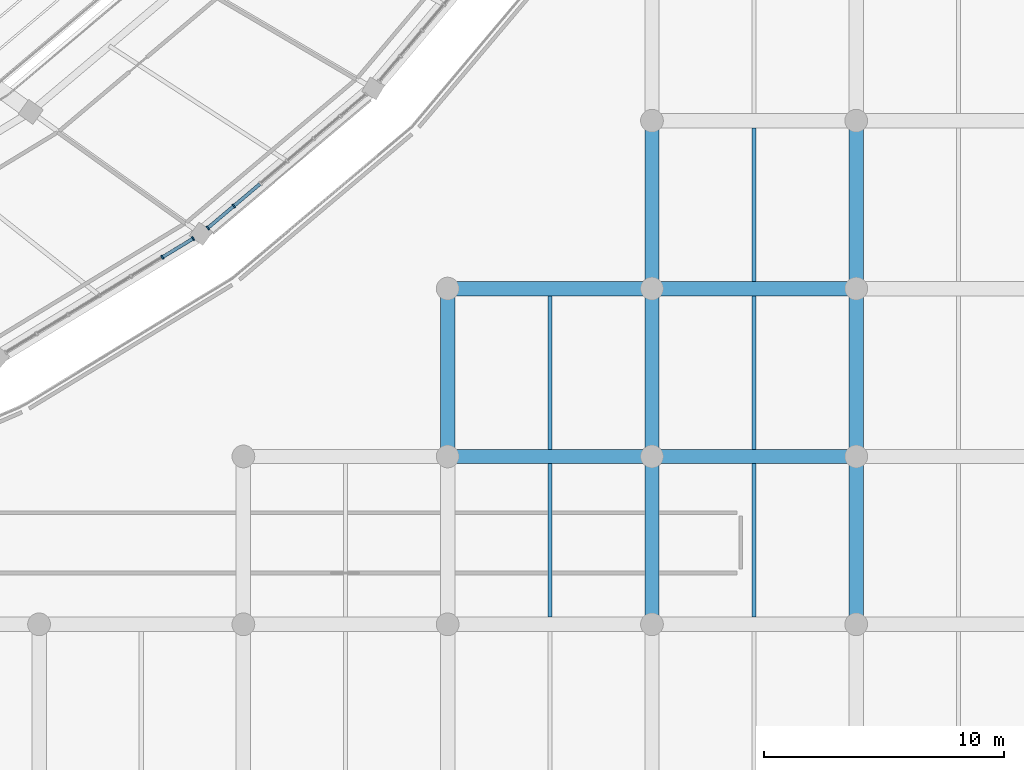
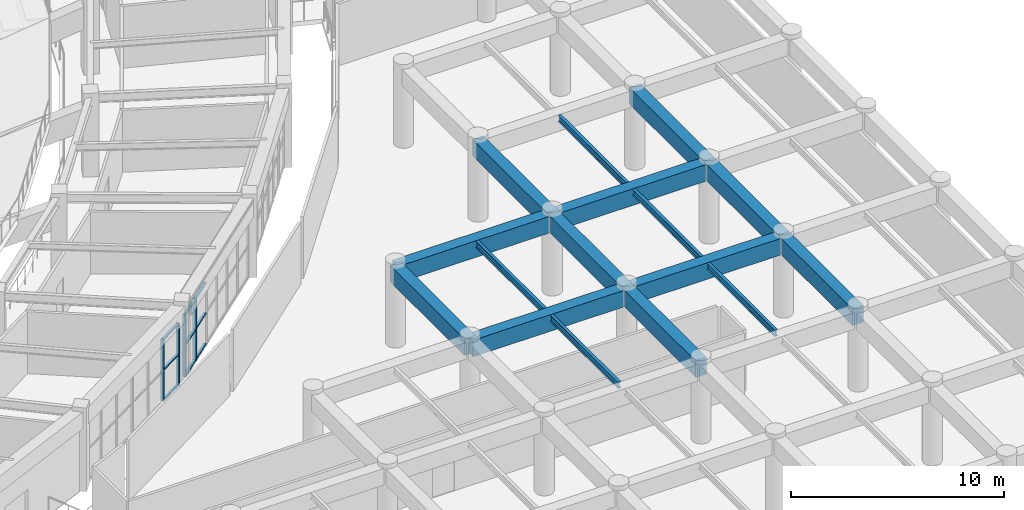
# One storey, part 38 of 137: 16 beams, 13 members, 2 elements without a shape of their own.
"""IFC4 building model written with IfcOpenShell, lengths in metres."""

import ifcopenshell
import ifcopenshell.guid

model = None  # the IFC model being written
_history = None  # IfcOwnerHistory: only IFC2X3 demands one
_inside = {}  # id of a spatial element -> (the spatial element, [elements in it])
_under = {}  # id of a project, library or spatial element -> (it, [spatial elements below it])
_declared = {}  # id of a project -> (the project, [libraries it declares])
_typed = {}  # id of a type object -> (the type object, [elements of that type])
_made_of = {}  # id of a material, layer set ... -> (it, [elements and type objects made of it])


def new_model(schema):
    """Start an empty IFC model of exactly this schema.

    Asked for "IFC4X3", IfcOpenShell would pick the latest addendum, in which some entities
    have other attributes; the version numbers below select the first issue.
    IFC2X3 requires an IfcOwnerHistory on every rooted entity: one is made here for all.
    """
    global model, _history
    if schema == "IFC4X3":
        model = ifcopenshell.file(schema_version=(4, 3, 0, 0))
    else:
        model = ifcopenshell.file(schema=schema)
    _inside.clear()
    _under.clear()
    _declared.clear()
    _typed.clear()
    _made_of.clear()
    _history = None
    if model.schema == "IFC2X3":
        org = make("IfcOrganization", Name="unknown")
        user = make(
            "IfcPersonAndOrganization",
            ThePerson=make("IfcPerson", FamilyName="unknown"),
            TheOrganization=org,
        )
        app = make(
            "IfcApplication",
            ApplicationDeveloper=org,
            Version="unknown",
            ApplicationFullName="unknown",
            ApplicationIdentifier="unknown",
        )
        _history = make(
            "IfcOwnerHistory",
            OwningUser=user,
            OwningApplication=app,
            ChangeAction="ADDED",
            CreationDate=0,
        )
    return model


def make(cls, **values):
    """One entity of the class cls with the attributes given. An attribute that is None is left unset."""
    return model.create_entity(
        cls, **{name: value for name, value in values.items() if value is not None}
    )


def rooted(cls, **values):
    """An entity with a GlobalId (a new one), such as an element, a storey or a relation."""
    return make(cls, GlobalId=ifcopenshell.guid.new(), OwnerHistory=_history, **values)


def si_unit(unit_type, name, prefix=None):
    """IfcSIUnit, for example si_unit("LENGTHUNIT", "METRE", prefix="MILLI")."""
    return make("IfcSIUnit", UnitType=unit_type, Prefix=prefix, Name=name)


def assignment(units):
    """IfcUnitAssignment: the units of a project."""
    return None if units is None else make("IfcUnitAssignment", Units=units)


def point(xyz):
    """IfcCartesianPoint."""
    return None if xyz is None else make("IfcCartesianPoint", Coordinates=xyz)


def direction(xyz):
    """IfcDirection."""
    return None if xyz is None else make("IfcDirection", DirectionRatios=xyz)


def frame(location, z_axis=None, x_axis=None):
    """IfcAxis2Placement3D, a coordinate frame: its origin and axes. An axis left out is left unset."""
    return make(
        "IfcAxis2Placement3D",
        Location=point(location),
        Axis=direction(z_axis),
        RefDirection=direction(x_axis),
    )


def frame_2d(location, x_axis=None):
    """IfcAxis2Placement2D, a coordinate frame in the plane: its origin and x axis."""
    return make(
        "IfcAxis2Placement2D", Location=point(location), RefDirection=direction(x_axis)
    )


def origin():
    """The frame at (0, 0, 0) with its axes left unset."""
    return frame((0.0, 0.0, 0.0))


def origin_2d():
    """The frame at (0, 0) in the plane with its x axis left unset."""
    return frame_2d((0.0, 0.0))


def place(relative_to, where):
    """IfcLocalPlacement: puts the frame where relative to a parent placement (None: the world)."""
    return make(
        "IfcLocalPlacement", PlacementRelTo=relative_to, RelativePlacement=where
    )


def context(
    kind, dimensions, precision=None, world=None, true_north=None, identifier=None
):
    """IfcGeometricRepresentationContext, for example the 3D "Model" context."""
    return make(
        "IfcGeometricRepresentationContext",
        ContextIdentifier=identifier,
        ContextType=kind,
        CoordinateSpaceDimension=dimensions,
        Precision=precision,
        WorldCoordinateSystem=world,
        TrueNorth=true_north,
    )


def subcontext(parent, identifier, kind, view, scale=None):
    """IfcGeometricRepresentationSubContext, for example "Body" below "Model"."""
    return make(
        "IfcGeometricRepresentationSubContext",
        ContextIdentifier=identifier,
        ContextType=kind,
        ParentContext=parent,
        TargetScale=scale,
        TargetView=view,
    )


def project(units=None, contexts=None):
    """IfcProject with its units and contexts."""
    return rooted(
        "IfcProject",
        Name="project",
        RepresentationContexts=contexts,
        UnitsInContext=assignment(units),
    )


def spatial(cls, under=None, at=None, **own):
    """A site, building, storey or space (cls), placed at a placement, below another one or the project."""
    s = rooted(cls, ObjectPlacement=at, **own)
    if under is not None:
        _under.setdefault(under.id(), (under, []))[1].append(s)
    return s


def profile(cls, at=None, kind="AREA", **sizes):
    """A parametric profile (cls). Its sizes go by their IFC names, for example OverallWidth=200.0."""
    return make(cls, ProfileType=kind, Position=at, **sizes)


def rectangle(**sizes):
    """IfcRectangleProfileDef."""
    return profile("IfcRectangleProfileDef", **sizes)


def i_section(**sizes):
    """IfcIShapeProfileDef."""
    return profile("IfcIShapeProfileDef", **sizes)


def extrude(swept, where, along, depth):
    """IfcExtrudedAreaSolid: the profile swept, set in the frame where, extruded along a direction by depth."""
    return make(
        "IfcExtrudedAreaSolid",
        SweptArea=swept,
        Position=where,
        ExtrudedDirection=direction(along),
        Depth=depth,
    )


def shape(context_of_items, identifier, shape_type, items):
    """IfcShapeRepresentation: the items that make up one representation, for example the "Body"."""
    return make(
        "IfcShapeRepresentation",
        ContextOfItems=context_of_items,
        RepresentationIdentifier=identifier,
        RepresentationType=shape_type,
        Items=items,
    )


def material(Name=None, Category=None):
    """IfcMaterial."""
    return make("IfcMaterial", Name=Name, Category=Category)


def layer(
    of_material, thickness, ventilated=None, Name=None, Category=None, Priority=None
):
    """IfcMaterialLayer: one layer of a wall or slab, of a material (None: an air gap)."""
    return make(
        "IfcMaterialLayer",
        Material=of_material,
        LayerThickness=thickness,
        IsVentilated=ventilated,
        Name=Name,
        Category=Category,
        Priority=Priority,
    )


def layer_set(layers, Name=None):
    """IfcMaterialLayerSet."""
    return make("IfcMaterialLayerSet", MaterialLayers=layers, LayerSetName=Name)


def material_profile(
    of_material, cross_section, Name=None, Category=None, Priority=None
):
    """IfcMaterialProfile: a cross section and its material."""
    return make(
        "IfcMaterialProfile",
        Name=Name,
        Material=of_material,
        Profile=cross_section,
        Priority=Priority,
        Category=Category,
    )


def profile_set(profiles, Name=None, composite=None):
    """IfcMaterialProfileSet."""
    return make(
        "IfcMaterialProfileSet",
        Name=Name,
        MaterialProfiles=profiles,
        CompositeProfile=composite,
    )


def made_of(thing, what):
    """Note that an element or type object is made of a material, layer set ...; save() writes the relation."""
    if what is not None:
        _made_of.setdefault(what.id(), (what, []))[1].append(thing)
    return thing


def type_object(cls, material=None, **own):
    """A type object (cls), such as IfcWallType, which elements share."""
    return made_of(rooted(cls, **own), material)


def element(
    cls,
    number,
    at=None,
    inside=None,
    cuts=None,
    type_object=None,
    material=None,
    context=None,
    identifier="Body",
    shape_type=None,
    held_by="IfcProductDefinitionShape",
    body=None,
    shapes=None,
    **own,
):
    """One element of the class cls, such as IfcWall. Its Tag is "e" and its number.

    at: its placement. inside: the storey or other place that contains it. cuts: it is an
    opening in that element (IfcRelVoidsElement). A single representation is given by context,
    identifier, shape_type and body (its items); several are given by shapes. held_by: the class
    of the entity that holds the representations. save() writes the other relations.
    """
    e = rooted(cls, Tag="e%d" % number, ObjectPlacement=at, **own)
    if body is not None:
        shapes = [shape(context, identifier, shape_type, body)]
    if shapes is not None:
        e.Representation = make(held_by, Representations=shapes)
    if inside is not None:
        _inside.setdefault(inside.id(), (inside, []))[1].append(e)
    if cuts is not None:
        rooted(
            "IfcRelVoidsElement", RelatingBuildingElement=cuts, RelatedOpeningElement=e
        )
    if type_object is not None:
        _typed.setdefault(type_object.id(), (type_object, []))[1].append(e)
    return made_of(e, material)


def aggregate(whole, parts):
    """IfcRelAggregates: a whole, such as a stair, and the parts it consists of."""
    return rooted("IfcRelAggregates", RelatingObject=whole, RelatedObjects=parts)


def save(model, path):
    """Write the relations noted so far, then the file.

    IfcRelAggregates (storeys below a building ...), IfcRelContainedInSpatialStructure (elements
    in a storey), IfcRelDefinesByType, IfcRelAssociatesMaterial and IfcRelDeclares: one each for
    every whole, place, type object, material and project.
    """
    for whole, parts in _under.values():
        aggregate(whole, parts)
    for where, things in _inside.values():
        rooted(
            "IfcRelContainedInSpatialStructure",
            RelatedElements=things,
            RelatingStructure=where,
        )
    for kind, things in _typed.values():
        rooted("IfcRelDefinesByType", RelatedObjects=things, RelatingType=kind)
    for what, things in _made_of.values():
        rooted("IfcRelAssociatesMaterial", RelatedObjects=things, RelatingMaterial=what)
    for by, libraries in _declared.values():
        rooted("IfcRelDeclares", RelatingContext=by, RelatedDefinitions=libraries)
    model.write(path)


model = new_model("IFC4")

# Units and contexts
model_context = context("Model", 3, precision=1e-05, world=origin(), true_north=direction((0.0, 1.0)))
body_context = subcontext(model_context, "Body", "Model", "MODEL_VIEW")
ifc_project = project(units=[si_unit("LENGTHUNIT", "METRE"), si_unit("AREAUNIT", "SQUARE_METRE"), si_unit("VOLUMEUNIT", "CUBIC_METRE"), si_unit("PLANEANGLEUNIT", "RADIAN"), si_unit("MASSUNIT", "GRAM", prefix="KILO")], contexts=[model_context])

# Site, building, storey
site_placement = place(None, origin())
site = spatial("IfcSite", under=ifc_project, at=site_placement, CompositionType="ELEMENT")
building_placement = place(site_placement, origin())
building = spatial("IfcBuilding", under=site, at=building_placement, Name="Mphavela Belvedere Stadium", CompositionType="ELEMENT")
storey_placement = place(building_placement, frame((0.0, 0.0, 19.199951171875)))
storey = spatial("IfcBuildingStorey", under=building, at=storey_placement, Name="L04", CompositionType="ELEMENT", Elevation=19.199951171875)

# Beams
ifc_material_1 = material(Name="Concrete C40/50", Category="concrete")
ifc_material_profile_1 = material_profile(ifc_material_1, rectangle(XDim=0.60009765625, YDim=0.949951171875, at=origin_2d()), Name="RC 600x950")
ifc_profile_set_1 = profile_set([ifc_material_profile_1], Name="Concrete C40/50")
beam_type_1 = type_object("IfcBeamType", Name="BM-ENTABLATURE-950", PredefinedType="SPANDREL", material=ifc_profile_set_1)
beam_1_placement = place(storey_placement, frame((204.444091796875, 21.0, 4.06494140625), z_axis=(1.0, 0.0, 0.0), x_axis=(0.0, 1.0, 0.0)))
element("IfcBeam", 1, at=beam_1_placement, inside=storey, type_object=beam_type_1, Name="South Axial Triumphal Peristyle Portico entablature beam X L04 25-4", PredefinedType="SPANDREL", context=body_context, shape_type="SweptSolid", body=[
    extrude(rectangle(XDim=0.60009765625, YDim=0.949951171875, at=origin_2d()), origin(), (0.0, 0.0, 1.0), 8.518798828125),
])
beam_2_placement = place(storey_placement, frame((204.444091796875, 21.0, 4.06494140625), z_axis=(0.0, 1.0, 0.0), x_axis=(-1.0, 0.0, 0.0)))
element("IfcBeam", 2, at=beam_2_placement, inside=storey, type_object=beam_type_1, Name="South Axial Triumphal Peristyle Portico entablature beam Y L04 25-4", PredefinedType="SPANDREL", context=body_context, shape_type="SweptSolid", body=[
    extrude(rectangle(XDim=0.60009765625, YDim=0.949951171875, at=origin_2d()), origin(), (0.0, 0.0, 1.0), 7.0),
])
beam_3_placement = place(storey_placement, frame((204.444091796875, 28.0, 4.06494140625), z_axis=(1.0, 0.0, 0.0), x_axis=(0.0, 1.0, 0.0)))
element("IfcBeam", 3, at=beam_3_placement, inside=storey, type_object=beam_type_1, Name="South Axial Triumphal Peristyle Portico entablature beam X L04 25-5", PredefinedType="SPANDREL", context=body_context, shape_type="SweptSolid", body=[
    extrude(rectangle(XDim=0.60009765625, YDim=0.949951171875, at=origin_2d()), origin(), (0.0, 0.0, 1.0), 8.518798828125),
])
beam_4_placement = place(storey_placement, frame((212.962890625, 14.0, 4.06494140625), z_axis=(0.0, 1.0, 0.0), x_axis=(-1.0, 0.0, 0.0)))
element("IfcBeam", 4, at=beam_4_placement, inside=storey, type_object=beam_type_1, Name="South Axial Triumphal Peristyle Portico entablature beam Y L04 26-3", PredefinedType="SPANDREL", context=body_context, shape_type="SweptSolid", body=[
    extrude(rectangle(XDim=0.60009765625, YDim=0.949951171875, at=origin_2d()), origin(), (0.0, 0.0, 1.0), 7.0),
])
beam_5_placement = place(storey_placement, frame((212.962890625, 21.0, 4.06494140625), z_axis=(1.0, 0.0, 0.0), x_axis=(0.0, 1.0, 0.0)))
element("IfcBeam", 5, at=beam_5_placement, inside=storey, type_object=beam_type_1, Name="South Axial Triumphal Peristyle Portico entablature beam X L04 26-4", PredefinedType="SPANDREL", context=body_context, shape_type="SweptSolid", body=[
    extrude(rectangle(XDim=0.60009765625, YDim=0.949951171875, at=origin_2d()), origin(), (0.0, 0.0, 1.0), 8.51806640625),
])
beam_6_placement = place(storey_placement, frame((212.962890625, 21.0, 4.06494140625), z_axis=(0.0, 1.0, 0.0), x_axis=(-1.0, 0.0, 0.0)))
element("IfcBeam", 6, at=beam_6_placement, inside=storey, type_object=beam_type_1, Name="South Axial Triumphal Peristyle Portico entablature beam Y L04 26-4", PredefinedType="SPANDREL", context=body_context, shape_type="SweptSolid", body=[
    extrude(rectangle(XDim=0.60009765625, YDim=0.949951171875, at=origin_2d()), origin(), (0.0, 0.0, 1.0), 7.0),
])
beam_7_placement = place(storey_placement, frame((212.962890625, 28.0, 4.06494140625), z_axis=(1.0, 0.0, 0.0), x_axis=(0.0, 1.0, 0.0)))
element("IfcBeam", 7, at=beam_7_placement, inside=storey, type_object=beam_type_1, Name="South Axial Triumphal Peristyle Portico entablature beam X L04 26-5", PredefinedType="SPANDREL", context=body_context, shape_type="SweptSolid", body=[
    extrude(rectangle(XDim=0.60009765625, YDim=0.949951171875, at=origin_2d()), origin(), (0.0, 0.0, 1.0), 8.51806640625),
])
for number, where, z_axis, x_axis, name in (
    (8, (212.962890625, 28.0, 4.06494140625), (0.0, 1.0, 0.0), (-1.0, 0.0, 0.0), "South Axial Triumphal Peristyle Portico entablature beam Y L04 26-5"),
    (9, (221.48095703125, 14.0, 4.06494140625), (0.0, 1.0, 0.0), (-1.0, 0.0, 0.0), "South Axial Triumphal Peristyle Portico entablature beam Y L04 27-3"),
    (10, (221.48095703125, 21.0, 4.06494140625), (0.0, 1.0, 0.0), (-1.0, 0.0, 0.0), "South Axial Triumphal Peristyle Portico entablature beam Y L04 27-4"),
    (11, (221.48095703125, 28.0, 4.06494140625), (0.0, 1.0, 0.0), (-1.0, 0.0, 0.0), "South Axial Triumphal Peristyle Portico entablature beam Y L04 27-5"),
):
    element("IfcBeam", number, at=place(storey_placement, frame(where, z_axis=z_axis, x_axis=x_axis)), inside=storey, type_object=beam_type_1, Name=name, PredefinedType="SPANDREL", context=body_context, shape_type="SweptSolid", body=[
        extrude(rectangle(XDim=0.60009765625, YDim=0.949951171875, at=origin_2d()), origin(), (0.0, 0.0, 1.0), 7.0),
    ])
ifc_material_2 = material(Name="Steel S355", Category="steel")
ifc_material_profile_2 = material_profile(ifc_material_2, i_section(OverallWidth=0.169921875, OverallDepth=0.360107421875, WebThickness=0.008056640625, FlangeThickness=0.0126953125, at=origin_2d()), Name="IPE 360")
ifc_profile_set_2 = profile_set([ifc_material_profile_2], Name="Steel S355")
beam_type_2 = type_object("IfcBeamType", Name="BM-JOIST-IPE360", PredefinedType="JOIST", material=ifc_profile_set_2)
for number, where, z_axis, x_axis, name in (
    (12, (208.70361328125, 14.300048828125, 4.360107421875), (0.0, 1.0, 0.0), (-1.0, 0.0, 0.0), "South Axial Triumphal Peristyle Portico secondary joist L04 25-3"),
    (13, (208.70361328125, 21.300048828125, 4.360107421875), (0.0, 1.0, 0.0), (-1.0, 0.0, 0.0), "South Axial Triumphal Peristyle Portico secondary joist L04 25-4"),
    (14, (217.221923828125, 14.300048828125, 4.360107421875), (0.0, 1.0, 0.0), (-1.0, 0.0, 0.0), "South Axial Triumphal Peristyle Portico secondary joist L04 26-3"),
    (15, (217.221923828125, 21.300048828125, 4.360107421875), (0.0, 1.0, 0.0), (-1.0, 0.0, 0.0), "South Axial Triumphal Peristyle Portico secondary joist L04 26-4"),
    (16, (217.221923828125, 28.300048828125, 4.360107421875), (0.0, 1.0, 0.0), (-1.0, 0.0, 0.0), "South Axial Triumphal Peristyle Portico secondary joist L04 26-5"),
):
    element("IfcBeam", number, at=place(storey_placement, frame(where, z_axis=z_axis, x_axis=x_axis)), inside=storey, type_object=beam_type_2, Name=name, PredefinedType="JOIST", context=body_context, shape_type="SweptSolid", body=[
        extrude(i_section(OverallWidth=0.169921875, OverallDepth=0.360107421875, WebThickness=0.008056640625, FlangeThickness=0.0126953125, at=origin_2d()), origin(), (0.0, 0.0, 1.0), 6.39990234375),
    ])

# Curtain wall, members
ifc_material_3 = material(Name="Anodised bronze unitised curtain wall framing")
ifc_layer_1 = layer(ifc_material_3, 0.199951171875)
ifc_layer_set_1 = layer_set([ifc_layer_1], Name="Anodised bronze unitised curtain wall framing")
curtain_wall_type_1 = type_object("IfcCurtainWallType", Name="CW-UNIT-05", PredefinedType="USERDEFINED", material=ifc_layer_set_1)
curtain_wall_1_placement = place(storey_placement, origin())
curtain_wall_1 = element("IfcCurtainWall", 17, at=curtain_wall_1_placement, inside=storey, type_object=curtain_wall_type_1, Name="Belvedere colonnade curtain wall L04-42", ObjectType="UNITISED CURTAIN WALL", PredefinedType="USERDEFINED")
ifc_material_4 = material(Name="Anodised bronze extruded aluminium", Category="aluminium")
ifc_material_profile_3 = material_profile(ifc_material_4, rectangle(XDim=0.179931640625, YDim=0.06494140625, at=origin_2d()), Name="CW-MUL 180x65")
ifc_profile_set_3 = profile_set([ifc_material_profile_3], Name="Anodised bronze extruded aluminium")
member_type_1 = type_object("IfcMemberType", Name="CWM-180x65", PredefinedType="MULLION", material=ifc_profile_set_3)
member_1_placement = place(storey_placement, frame((192.547607421875, 29.30712890625, 0.0), z_axis=(0.0, 0.0, 1.0), x_axis=(-0.519735341101, 0.854327323226, 0.0)))
member_1 = element("IfcMember", 18, at=member_1_placement, type_object=member_type_1, Name="CW-05 mullion 6", PredefinedType="MULLION", context=body_context, shape_type="SweptSolid", body=[
    extrude(rectangle(XDim=0.179931640625, YDim=0.06494140625, at=origin_2d()), origin(), (0.0, 0.0, 1.0), 3.570068359375),
])
member_2_placement = place(storey_placement, frame((193.83056640625, 30.087646484375, 0.0), z_axis=(0.0, 0.0, 1.0), x_axis=(-0.519735341101, 0.854327323226, 0.0)))
member_2 = element("IfcMember", 19, at=member_2_placement, type_object=member_type_1, Name="CW-05 mullion 7", PredefinedType="MULLION", context=body_context, shape_type="SweptSolid", body=[
    extrude(rectangle(XDim=0.179931640625, YDim=0.06494140625, at=origin_2d()), origin(), (0.0, 0.0, 1.0), 3.570068359375),
])

ifc_material_5 = material(Name="Anodised bronze unitised curtain wall framing")
ifc_layer_2 = layer(ifc_material_5, 0.205078125)
ifc_layer_set_2 = layer_set([ifc_layer_2], Name="Anodised bronze unitised curtain wall framing")
curtain_wall_type_2 = type_object("IfcCurtainWallType", Name="CW-UNIT-06", PredefinedType="USERDEFINED", material=ifc_layer_set_2)
curtain_wall_2_placement = place(storey_placement, origin())
curtain_wall_2 = element("IfcCurtainWall", 20, at=curtain_wall_2_placement, inside=storey, type_object=curtain_wall_type_2, Name="Belvedere colonnade curtain wall L04-43", ObjectType="UNITISED CURTAIN WALL", PredefinedType="USERDEFINED")
member_3_placement = place(storey_placement, frame((194.446533203125, 30.53076171875, 0.0), z_axis=(0.0, 0.0, 1.0), x_axis=(-0.644916038089, 0.764253429051, 0.0)))
member_3 = element("IfcMember", 21, at=member_3_placement, type_object=member_type_1, Name="CW-06 mullion 1", PredefinedType="MULLION", context=body_context, shape_type="SweptSolid", body=[
    extrude(rectangle(XDim=0.179931640625, YDim=0.06494140625, at=origin_2d()), origin(), (0.0, 0.0, 1.0), 3.570068359375),
])
member_4_placement = place(storey_placement, frame((195.530029296875, 31.4453125, 0.0), z_axis=(0.0, 0.0, 1.0), x_axis=(-0.644916038089, 0.764253429051, 0.0)))
member_4 = element("IfcMember", 22, at=member_4_placement, type_object=member_type_1, Name="CW-06 mullion 2", PredefinedType="MULLION", context=body_context, shape_type="SweptSolid", body=[
    extrude(rectangle(XDim=0.179931640625, YDim=0.06494140625, at=origin_2d()), origin(), (0.0, 0.0, 1.0), 3.570068359375),
])

# Member
ifc_material_6 = material(Name="Anodised bronze extruded aluminium", Category="aluminium")
ifc_material_profile_4 = material_profile(ifc_material_6, rectangle(XDim=0.139892578125, YDim=0.06005859375, at=origin_2d()), Name="CW-TRN 140x60")
ifc_profile_set_4 = profile_set([ifc_material_profile_4], Name="Anodised bronze extruded aluminium")
member_type_2 = type_object("IfcMemberType", Name="CWT-140x60", PredefinedType="USERDEFINED", material=ifc_profile_set_4)
member_5_placement = place(storey_placement, frame((192.5751953125, 29.323974609375, 0.030029296875), z_axis=(0.854313371297, 0.519758274224, 0.0), x_axis=(-0.519758274224, 0.854313371297, 0.0)))
member_5 = element("IfcMember", 23, at=member_5_placement, type_object=member_type_2, Name="CW-05 transom 6.1", ObjectType="TRANSOM", PredefinedType="USERDEFINED", context=body_context, shape_type="SweptSolid", body=[
    extrude(rectangle(XDim=0.139892578125, YDim=0.06005859375, at=origin_2d()), origin(), (0.0, 0.0, 1.0), 1.436767578125),
])

member_6_placement = place(storey_placement, frame((192.5751953125, 29.323974609375, 1.78515625), z_axis=(0.854313371297, 0.519758274224, 0.0), x_axis=(-0.519758274224, 0.854313371297, 0.0)))
member_6 = element("IfcMember", 24, at=member_6_placement, type_object=member_type_2, Name="CW-05 transom 6.2", ObjectType="TRANSOM", PredefinedType="USERDEFINED", context=body_context, shape_type="SweptSolid", body=[
    extrude(rectangle(XDim=0.139892578125, YDim=0.06005859375, at=origin_2d()), origin(), (0.0, 0.0, 1.0), 1.436767578125),
])

member_7_placement = place(storey_placement, frame((192.5751953125, 29.323974609375, 3.5400390625), z_axis=(0.854313371297, 0.519758274224, 0.0), x_axis=(-0.519758274224, 0.854313371297, 0.0)))
member_7 = element("IfcMember", 25, at=member_7_placement, type_object=member_type_2, Name="CW-05 transom 6.3", ObjectType="TRANSOM", PredefinedType="USERDEFINED", context=body_context, shape_type="SweptSolid", body=[
    extrude(rectangle(XDim=0.139892578125, YDim=0.06005859375, at=origin_2d()), origin(), (0.0, 0.0, 1.0), 1.436767578125),
])

aggregate(curtain_wall_1, [member_1, member_2, member_5, member_6, member_7])

member_8_placement = place(storey_placement, frame((194.47119140625, 30.5517578125, 0.030029296875), z_axis=(0.764227553542, 0.644946700439, 0.0), x_axis=(-0.644946700439, 0.764227553542, 0.0)))
member_8 = element("IfcMember", 26, at=member_8_placement, type_object=member_type_2, Name="CW-06 transom 1.1", ObjectType="TRANSOM", PredefinedType="USERDEFINED", context=body_context, shape_type="SweptSolid", body=[
    extrude(rectangle(XDim=0.139892578125, YDim=0.06005859375, at=origin_2d()), origin(), (0.0, 0.0, 1.0), 1.35302734375),
])

member_9_placement = place(storey_placement, frame((194.47119140625, 30.5517578125, 1.78515625), z_axis=(0.764227553542, 0.644946700439, 0.0), x_axis=(-0.644946700439, 0.764227553542, 0.0)))
member_9 = element("IfcMember", 27, at=member_9_placement, type_object=member_type_2, Name="CW-06 transom 1.2", ObjectType="TRANSOM", PredefinedType="USERDEFINED", context=body_context, shape_type="SweptSolid", body=[
    extrude(rectangle(XDim=0.139892578125, YDim=0.06005859375, at=origin_2d()), origin(), (0.0, 0.0, 1.0), 1.35302734375),
])

member_10_placement = place(storey_placement, frame((194.47119140625, 30.5517578125, 3.5400390625), z_axis=(0.764227553542, 0.644946700439, 0.0), x_axis=(-0.644946700439, 0.764227553542, 0.0)))
member_10 = element("IfcMember", 28, at=member_10_placement, type_object=member_type_2, Name="CW-06 transom 1.3", ObjectType="TRANSOM", PredefinedType="USERDEFINED", context=body_context, shape_type="SweptSolid", body=[
    extrude(rectangle(XDim=0.139892578125, YDim=0.06005859375, at=origin_2d()), origin(), (0.0, 0.0, 1.0), 1.35302734375),
])

member_11_placement = place(storey_placement, frame((195.554931640625, 31.46630859375, 0.030029296875), z_axis=(0.764321340715, 0.644835551228, 0.0), x_axis=(-0.644835551228, 0.764321340715, 0.0)))
member_11 = element("IfcMember", 29, at=member_11_placement, type_object=member_type_2, Name="CW-06 transom 2.1", ObjectType="TRANSOM", PredefinedType="USERDEFINED", context=body_context, shape_type="SweptSolid", body=[
    extrude(rectangle(XDim=0.139892578125, YDim=0.06005859375, at=origin_2d()), origin(), (0.0, 0.0, 1.0), 1.38525390625),
])

member_12_placement = place(storey_placement, frame((195.554931640625, 31.46630859375, 1.78515625), z_axis=(0.764321340715, 0.644835551228, 0.0), x_axis=(-0.644835551228, 0.764321340715, 0.0)))
member_12 = element("IfcMember", 30, at=member_12_placement, type_object=member_type_2, Name="CW-06 transom 2.2", ObjectType="TRANSOM", PredefinedType="USERDEFINED", context=body_context, shape_type="SweptSolid", body=[
    extrude(rectangle(XDim=0.139892578125, YDim=0.06005859375, at=origin_2d()), origin(), (0.0, 0.0, 1.0), 1.38525390625),
])

member_13_placement = place(storey_placement, frame((195.554931640625, 31.46630859375, 3.5400390625), z_axis=(0.764321340715, 0.644835551228, 0.0), x_axis=(-0.644835551228, 0.764321340715, 0.0)))
member_13 = element("IfcMember", 31, at=member_13_placement, type_object=member_type_2, Name="CW-06 transom 2.3", ObjectType="TRANSOM", PredefinedType="USERDEFINED", context=body_context, shape_type="SweptSolid", body=[
    extrude(rectangle(XDim=0.139892578125, YDim=0.06005859375, at=origin_2d()), origin(), (0.0, 0.0, 1.0), 1.38525390625),
])

aggregate(curtain_wall_2, [member_3, member_4, member_8, member_9, member_10, member_11, member_12, member_13])

save(model, "model.ifc")
